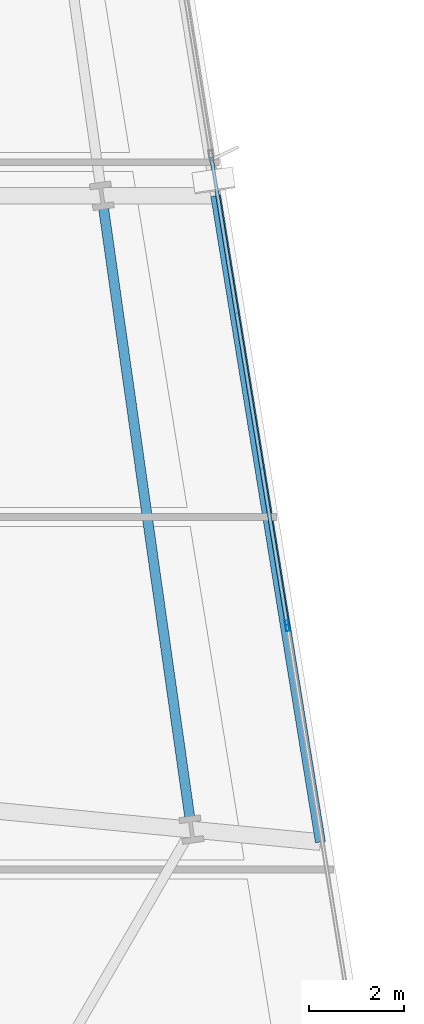
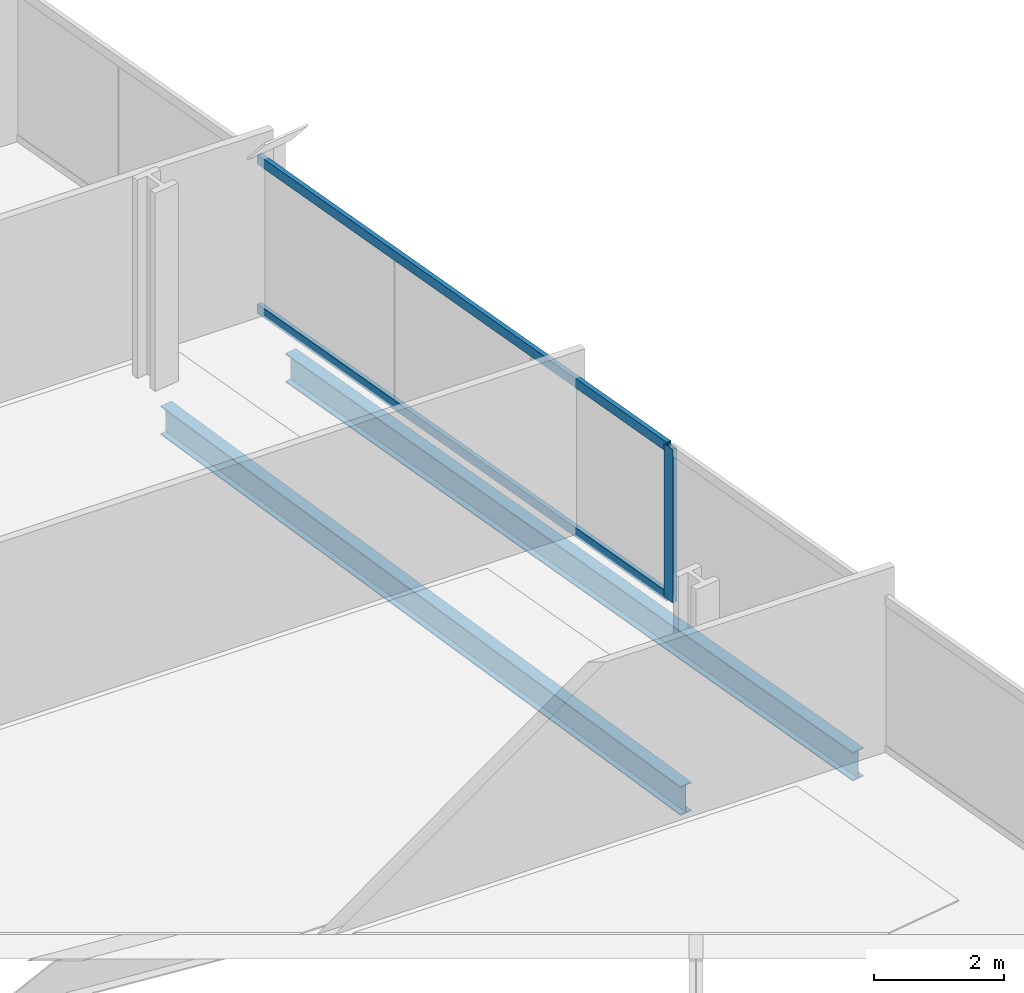
# One storey, part 13 of 33: 3 members, 2 beams, 1 element without a shape of its own.
"""IFC4 building model written with IfcOpenShell, lengths in metres."""

from ifc_helpers import new_model, si_unit, direction, frame, origin, origin_2d, place, context, subcontext, project, spatial, hollow_rectangle, i_section, extrude, material, material_profile, profile_set, type_object, element, aggregate, save


model = new_model("IFC4")

# Units and contexts
model_context = context("Model", 3, precision=1e-05, world=origin(), true_north=direction((0.0, 1.0)))
body_context = subcontext(model_context, "Body", "Model", "MODEL_VIEW")
ifc_project = project(units=[si_unit("LENGTHUNIT", "METRE"), si_unit("AREAUNIT", "SQUARE_METRE"), si_unit("VOLUMEUNIT", "CUBIC_METRE"), si_unit("PLANEANGLEUNIT", "RADIAN"), si_unit("MASSUNIT", "GRAM", prefix="KILO")], contexts=[model_context])

# Site, building, storey
site_placement = place(None, origin())
site = spatial("IfcSite", under=ifc_project, at=site_placement, CompositionType="ELEMENT")
building_placement = place(site_placement, origin())
building = spatial("IfcBuilding", under=site, at=building_placement, Name="Haldenkirk Collegiate Tower", CompositionType="ELEMENT")
storey_placement = place(building_placement, frame((0.0, 0.0, 58.949951171875)))
storey = spatial("IfcBuildingStorey", under=building, at=storey_placement, Name="L13", CompositionType="ELEMENT", Elevation=58.949951171875)

# Beams
ifc_material_1 = material(Name="Steel ASTM A992 Grade 50", Category="steel")
ifc_material_profile_1 = material_profile(ifc_material_1, i_section(OverallWidth=0.2119140625, OverallDepth=0.5439453125, WebThickness=0.01318359375, FlangeThickness=0.021240234375, at=origin_2d()), Name="W21X83")
ifc_profile_set_1 = profile_set([ifc_material_profile_1], Name="Steel ASTM A992 Grade 50")
beam_type = type_object("IfcBeamType", Name="BM-SPANDREL-W21X83", PredefinedType="SPANDREL", material=ifc_profile_set_1)
beam_1_placement = place(storey_placement, frame((61.611083984375, 16.65478515625, -0.58203125), z_axis=(-0.140040904101, 0.990145719164, 0.0), x_axis=(-0.990145719164, -0.140040904101, 0.0)))
element("IfcBeam", 1, at=beam_1_placement, inside=storey, type_object=beam_type, Name="L13 perimeter spandrel beam 06", PredefinedType="SPANDREL", context=body_context, shape_type="SweptSolid", body=[
    extrude(i_section(OverallWidth=0.2119140625, OverallDepth=0.5439453125, WebThickness=0.01318359375, FlangeThickness=0.021240234375, at=origin_2d()), origin(), (0.0, 0.0, 1.0), 13.000244140625),
])
beam_2_placement = place(storey_placement, frame((64.373046875, 16.1298828125, -0.58203125), z_axis=(-0.159890872069, 0.987134696497, 0.0), x_axis=(-0.987134696497, -0.159890872069, 0.0)))
element("IfcBeam", 2, at=beam_2_placement, inside=storey, type_object=beam_type, Name="L13 outer facade edge beam 2A", PredefinedType="SPANDREL", context=body_context, shape_type="SweptSolid", body=[
    extrude(i_section(OverallWidth=0.2119140625, OverallDepth=0.5439453125, WebThickness=0.01318359375, FlangeThickness=0.021240234375, at=origin_2d()), origin(), (0.0, 0.0, 1.0), 13.8369140625),
])

# Curtain wall, members
ifc_material_2 = material(Name="Anodised architectural bronze aluminium", Category="aluminium")
curtain_wall_type = type_object("IfcCurtainWallType", Name="CW-SYS1-CONVEX-LOW", PredefinedType="USERDEFINED", material=ifc_material_2)
curtain_wall_placement = place(storey_placement, origin())
curtain_wall = element("IfcCurtainWall", 3, at=curtain_wall_placement, inside=storey, type_object=curtain_wall_type, Name="L13 Lower tower convex bronze-framed unitised curtain wall", ObjectType="UNITISED CURTAIN WALL", PredefinedType="USERDEFINED")
ifc_material_profile_2 = material_profile(ifc_material_2, hollow_rectangle(XDim=0.080078125, YDim=0.219970703125, WallThickness=0.0048828125, at=origin_2d()), Name="CW-MUL-1A")
ifc_profile_set_2 = profile_set([ifc_material_profile_2], Name="Anodised architectural bronze aluminium")
member_type_1 = type_object("IfcMemberType", Name="CW-MUL-1A", PredefinedType="MULLION", material=ifc_profile_set_2)
member_1_placement = place(storey_placement, frame((63.67333984375, 20.699951171875, 0.0), z_axis=(0.0, 0.0, 1.0), x_axis=(0.987136378374, 0.159880488152, 0.0)))
member_1 = element("IfcMember", 4, at=member_1_placement, type_object=member_type_1, Name="CW-1A mullion 4", PredefinedType="MULLION", context=body_context, shape_type="SweptSolid", body=[
    extrude(hollow_rectangle(XDim=0.080078125, YDim=0.219970703125, WallThickness=0.0048828125, at=origin_2d()), origin(), (0.0, 0.0, 1.0), 2.89111328125),
])
ifc_material_profile_3 = material_profile(ifc_material_2, hollow_rectangle(XDim=0.080078125, YDim=0.179931640625, WallThickness=0.0048828125, at=origin_2d()), Name="CW-TRN-1A")
ifc_profile_set_3 = profile_set([ifc_material_profile_3], Name="Anodised architectural bronze aluminium")
member_type_2 = type_object("IfcMemberType", Name="CW-TRN-1A", PredefinedType="USERDEFINED", material=ifc_profile_set_3)
member_2_placement = place(storey_placement, frame((62.06982421875, 30.599609375, 0.0400390625), z_axis=(0.159898653979, -0.987133435993, 0.0), x_axis=(0.987133435993, 0.159898653979, 0.0)))
member_2 = element("IfcMember", 5, at=member_2_placement, type_object=member_type_2, Name="CW-1A transom 3.1", ObjectType="TRANSOM", PredefinedType="USERDEFINED", context=body_context, shape_type="SweptSolid", body=[
    extrude(hollow_rectangle(XDim=0.080078125, YDim=0.179931640625, WallThickness=0.0048828125, at=origin_2d()), origin(), (0.0, 0.0, 1.0), 9.988525390625),
])
member_3_placement = place(storey_placement, frame((62.06982421875, 30.599609375, 2.85107421875), z_axis=(0.159898653979, -0.987133435993, 0.0), x_axis=(0.987133435993, 0.159898653979, 0.0)))
member_3 = element("IfcMember", 6, at=member_3_placement, type_object=member_type_2, Name="CW-1A transom 3.2", ObjectType="TRANSOM", PredefinedType="USERDEFINED", context=body_context, shape_type="SweptSolid", body=[
    extrude(hollow_rectangle(XDim=0.080078125, YDim=0.179931640625, WallThickness=0.0048828125, at=origin_2d()), origin(), (0.0, 0.0, 1.0), 9.988525390625),
])
aggregate(curtain_wall, [member_1, member_2, member_3])

save(model, "model.ifc")
